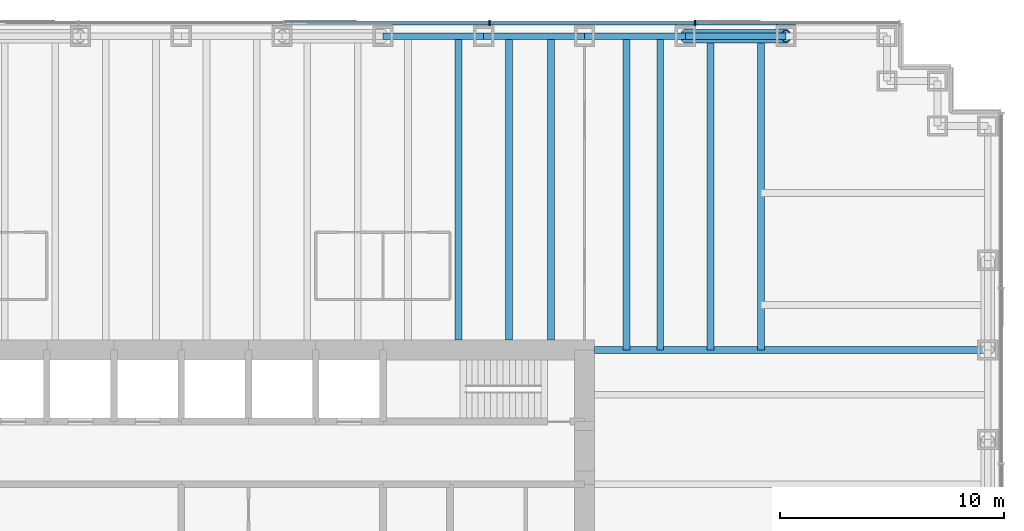
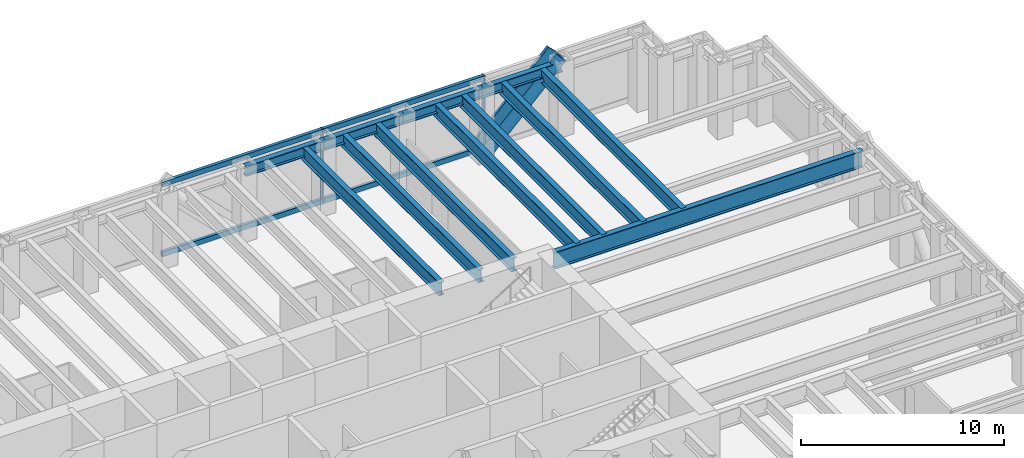
# One storey, part 6 of 13: 12 beams, 8 members, 1 element without a shape of its own.
"""IFC4 building model written with IfcOpenShell, lengths in metres."""

from ifc_helpers import new_model, si_unit, direction, frame, origin, origin_2d, place, context, subcontext, project, spatial, rectangle, hollow_circle, i_section, extrude, material, material_profile, profile_set, type_object, element, aggregate, save


model = new_model("IFC4")

# Units and contexts
model_context = context("Model", 3, precision=1e-05, world=origin(), true_north=direction((0.0, 1.0)))
body_context = subcontext(model_context, "Body", "Model", "MODEL_VIEW")
ifc_project = project(units=[si_unit("LENGTHUNIT", "METRE"), si_unit("AREAUNIT", "SQUARE_METRE"), si_unit("VOLUMEUNIT", "CUBIC_METRE"), si_unit("PLANEANGLEUNIT", "RADIAN"), si_unit("MASSUNIT", "GRAM", prefix="KILO")], contexts=[model_context])

# Site, building, storey
site_placement = place(None, origin())
site = spatial("IfcSite", under=ifc_project, at=site_placement, CompositionType="ELEMENT")
building_placement = place(site_placement, origin())
building = spatial("IfcBuilding", under=site, at=building_placement, Name="Rheinbord Bourse Tower", CompositionType="ELEMENT")
storey_placement = place(building_placement, frame((0.0, 0.0, 86.0)))
storey = spatial("IfcBuildingStorey", under=building, at=storey_placement, Name="L18", CompositionType="ELEMENT", Elevation=86.0)

# Curtain wall, members
ifc_material_1 = material(Name="Dark glass and black aluminium", Category="aluminium")
curtain_wall_type = type_object("IfcCurtainWallType", Name="CW1 DARK GLASS CURTAIN WALL", PredefinedType="USERDEFINED", material=ifc_material_1)
curtain_wall_placement = place(storey_placement, origin())
curtain_wall = element("IfcCurtainWall", 1, at=curtain_wall_placement, inside=storey, type_object=curtain_wall_type, Name="Curtain wall CW1 N L18", ObjectType="UNITISED CURTAIN WALL", PredefinedType="USERDEFINED")
ifc_material_2 = material(Name="Black anodised aluminium", Category="aluminium")
ifc_material_profile_1 = material_profile(ifc_material_2, rectangle(XDim=0.179931640625, YDim=1.2099609375, at=origin_2d()), Name="CW1 DIAGONAL MULLION 1210x180")
ifc_profile_set_1 = profile_set([ifc_material_profile_1], Name="Black anodised aluminium")
member_type_1 = type_object("IfcMemberType", Name="CW1 BLACK DIAGONAL MULLION", PredefinedType="USERDEFINED", material=ifc_profile_set_1)
member_1_placement = place(storey_placement, frame((58.5, 46.60009765625, 0.0), z_axis=(0.707106781187, 0.0, 0.707106781187), x_axis=(0.0, 1.0, 0.0)))
member_1 = element("IfcMember", 2, at=member_1_placement, type_object=member_type_1, Name="CW1 diagonal mullion d", ObjectType="DIAGONAL MULLION", PredefinedType="USERDEFINED", context=body_context, shape_type="SweptSolid", body=[
    extrude(rectangle(XDim=0.179931640625, YDim=1.2099609375, at=origin_2d()), origin(), (0.0, 0.0, 1.0), 6.364013671875),
])
ifc_material_3 = material(Name="Black anodised aluminium", Category="aluminium")
ifc_material_profile_2 = material_profile(ifc_material_3, rectangle(XDim=0.25, YDim=0.080078125, at=origin_2d()), Name="CW1 MULLION 80x250")
ifc_profile_set_2 = profile_set([ifc_material_profile_2], Name="Black anodised aluminium")
member_type_2 = type_object("IfcMemberType", Name="CW1 BLACK MULLION", PredefinedType="MULLION", material=ifc_profile_set_2)
member_2_placement = place(storey_placement, frame((58.928466796875, 46.60009765625, 0.0), z_axis=(0.0, 0.0, 1.0), x_axis=(0.0, -1.0, 0.0)))
member_2 = element("IfcMember", 3, at=member_2_placement, type_object=member_type_2, Name="CW1 mullion 2", PredefinedType="MULLION", context=body_context, shape_type="SweptSolid", body=[
    extrude(rectangle(XDim=0.25, YDim=0.080078125, at=origin_2d()), origin(), (0.0, 0.0, 1.0), 4.5),
])
member_3_placement = place(storey_placement, frame((49.757080078125, 46.60009765625, 0.0), z_axis=(0.0, 0.0, 1.0), x_axis=(0.0, -1.0, 0.0)))
member_3 = element("IfcMember", 4, at=member_3_placement, type_object=member_type_2, Name="CW1 mullion 3", PredefinedType="MULLION", context=body_context, shape_type="SweptSolid", body=[
    extrude(rectangle(XDim=0.25, YDim=0.080078125, at=origin_2d()), origin(), (0.0, 0.0, 1.0), 4.5),
])
ifc_material_4 = material(Name="Black anodised aluminium", Category="aluminium")
ifc_material_profile_3 = material_profile(ifc_material_4, rectangle(XDim=0.179931640625, YDim=0.300048828125, at=origin_2d()), Name="CW1 TRANSOM 300x180")
ifc_profile_set_3 = profile_set([ifc_material_profile_3], Name="Black anodised aluminium")
member_type_3 = type_object("IfcMemberType", Name="CW1 BLACK TRANSOM", PredefinedType="USERDEFINED", material=ifc_profile_set_3)
member_4_placement = place(storey_placement, frame((58.888671875, 46.60009765625, 0.14990234375), z_axis=(-1.0, 0.0, 0.0), x_axis=(0.0, -1.0, 0.0)))
member_4 = element("IfcMember", 5, at=member_4_placement, type_object=member_type_3, Name="CW1 transom 2.1", ObjectType="TRANSOM", PredefinedType="USERDEFINED", context=body_context, shape_type="SweptSolid", body=[
    extrude(rectangle(XDim=0.179931640625, YDim=0.300048828125, at=origin_2d()), origin(), (0.0, 0.0, 1.0), 9.091552734375),
])
member_5_placement = place(storey_placement, frame((58.888671875, 46.60009765625, 4.35009765625), z_axis=(-1.0, 0.0, 0.0), x_axis=(0.0, -1.0, 0.0)))
member_5 = element("IfcMember", 6, at=member_5_placement, type_object=member_type_3, Name="CW1 transom 2.2", ObjectType="TRANSOM", PredefinedType="USERDEFINED", context=body_context, shape_type="SweptSolid", body=[
    extrude(rectangle(XDim=0.179931640625, YDim=0.300048828125, at=origin_2d()), origin(), (0.0, 0.0, 1.0), 9.091552734375),
])
member_6_placement = place(storey_placement, frame((49.717041015625, 46.60009765625, 0.14990234375), z_axis=(-1.0, 0.0, 0.0), x_axis=(0.0, -1.0, 0.0)))
member_6 = element("IfcMember", 7, at=member_6_placement, type_object=member_type_3, Name="CW1 transom 3.1", ObjectType="TRANSOM", PredefinedType="USERDEFINED", context=body_context, shape_type="SweptSolid", body=[
    extrude(rectangle(XDim=0.179931640625, YDim=0.300048828125, at=origin_2d()), origin(), (0.0, 0.0, 1.0), 9.09130859375),
])
member_7_placement = place(storey_placement, frame((49.717041015625, 46.60009765625, 4.35009765625), z_axis=(-1.0, 0.0, 0.0), x_axis=(0.0, -1.0, 0.0)))
member_7 = element("IfcMember", 8, at=member_7_placement, type_object=member_type_3, Name="CW1 transom 3.2", ObjectType="TRANSOM", PredefinedType="USERDEFINED", context=body_context, shape_type="SweptSolid", body=[
    extrude(rectangle(XDim=0.179931640625, YDim=0.300048828125, at=origin_2d()), origin(), (0.0, 0.0, 1.0), 9.09130859375),
])
aggregate(curtain_wall, [member_2, member_3, member_4, member_5, member_6, member_7, member_1])

# Beams
ifc_material_5 = material(Name="Steel S460", Category="steel")
ifc_material_profile_4 = material_profile(ifc_material_5, i_section(OverallWidth=0.300048828125, OverallDepth=0.800048828125, WebThickness=0.017578125, FlangeThickness=0.032958984375, at=origin_2d()), Name="HEB 800")
ifc_profile_set_4 = profile_set([ifc_material_profile_4], Name="Steel S460")
beam_type_1 = type_object("IfcBeamType", Name="FLOOR BEAM HEB 800", PredefinedType="BEAM", material=ifc_profile_set_4)
for number, where, z_axis, x_axis, name in (
    (9, (48.375, 46.0, 3.919921875), (0.0, -1.0, 0.0), (1.0, 0.0, 0.0), "Floor beam N-45b L19"),
    (10, (50.625, 46.0, 3.919921875), (0.0, -1.0, 0.0), (1.0, 0.0, 0.0), "Floor beam N-49.5a L19"),
    (11, (52.5, 46.0, 3.919921875), (0.0, -1.0, 0.0), (1.0, 0.0, 0.0), "Floor beam N-49.5b L19"),
):
    element("IfcBeam", number, at=place(storey_placement, frame(where, z_axis=z_axis, x_axis=x_axis)), inside=storey, type_object=beam_type_1, Name=name, PredefinedType="BEAM", context=body_context, shape_type="SweptSolid", body=[
        extrude(i_section(OverallWidth=0.300048828125, OverallDepth=0.800048828125, WebThickness=0.017578125, FlangeThickness=0.032958984375, at=origin_2d()), origin(), (0.0, 0.0, 1.0), 13.550048828125),
    ])
for number, where, z_axis, x_axis, name in (
    (12, (55.875, 46.0, 3.919921875), (0.0, -1.0, 0.0), (1.0, 0.0, 0.0), "Floor beam N-54a L19"),
    (13, (57.375, 46.0, 3.919921875), (0.0, -1.0, 0.0), (1.0, 0.0, 0.0), "Floor beam N-54b L19"),
    (14, (59.625, 46.0, 3.919921875), (0.0, -1.0, 0.0), (1.0, 0.0, 0.0), "Floor beam N-58.5a L19"),
    (15, (61.875, 46.0, 3.919921875), (0.0, -1.0, 0.0), (1.0, 0.0, 0.0), "Floor beam N-58.5b L19"),
):
    element("IfcBeam", number, at=place(storey_placement, frame(where, z_axis=z_axis, x_axis=x_axis)), inside=storey, type_object=beam_type_1, Name=name, PredefinedType="BEAM", context=body_context, shape_type="SweptSolid", body=[
        extrude(i_section(OverallWidth=0.300048828125, OverallDepth=0.800048828125, WebThickness=0.017578125, FlangeThickness=0.032958984375, at=origin_2d()), origin(), (0.0, 0.0, 1.0), 14.0),
    ])
ifc_material_6 = material(Name="Steel S460", Category="steel")
ifc_material_profile_5 = material_profile(ifc_material_6, i_section(OverallWidth=0.302001953125, OverallDepth=1.008056640625, WebThickness=0.02099609375, FlangeThickness=0.0400390625, at=origin_2d()), Name="HEM 1000")
ifc_profile_set_5 = profile_set([ifc_material_profile_5], Name="Steel S460")
beam_type_2 = type_object("IfcBeamType", Name="GIRDER HEM 1000", PredefinedType="BEAM", material=ifc_profile_set_5)
beam_placement = place(storey_placement, frame((54.449951171875, 32.0, 3.81591796875), z_axis=(1.0, 0.0, 0.0), x_axis=(0.0, 1.0, 0.0)))
element("IfcBeam", 16, at=beam_placement, inside=storey, type_object=beam_type_2, Name="Girder east 32 L19", PredefinedType="BEAM", context=body_context, shape_type="SweptSolid", body=[
    extrude(i_section(OverallWidth=0.302001953125, OverallDepth=1.008056640625, WebThickness=0.02099609375, FlangeThickness=0.0400390625, at=origin_2d()), origin(), (0.0, 0.0, 1.0), 17.550048828125),
])

# Member
ifc_material_7 = material(Name="Steel S460", Category="steel")
ifc_material_profile_6 = material_profile(ifc_material_7, hollow_circle(Radius=0.304931640625, WallThickness=0.050048828125, at=origin_2d()), Name="CHS 610x50")
ifc_profile_set_6 = profile_set([ifc_material_profile_6], Name="Steel S460")
member_type_4 = type_object("IfcMemberType", Name="MEGABRACE CHS 610x50", PredefinedType="BRACE", material=ifc_profile_set_6)
member_8_placement = place(storey_placement, frame((58.5, 46.0, 0.0), z_axis=(0.707106781187, 0.0, 0.707106781187), x_axis=(0.0, 1.0, 0.0)))
element("IfcMember", 17, at=member_8_placement, inside=storey, type_object=member_type_4, Name="Megabrace N face line d L18", PredefinedType="BRACE", context=body_context, shape_type="SweptSolid", body=[
    extrude(hollow_circle(Radius=0.304931640625, WallThickness=0.050048828125, at=origin_2d()), origin(), (0.0, 0.0, 1.0), 6.364013671875),
])

# Beams
ifc_material_8 = material(Name="Steel S460", Category="steel")
ifc_material_profile_7 = material_profile(ifc_material_8, i_section(OverallWidth=0.304931640625, OverallDepth=0.6201171875, WebThickness=0.02099609375, FlangeThickness=0.0400390625, at=origin_2d()), Name="HEM 600")
ifc_profile_set_7 = profile_set([ifc_material_profile_7], Name="Steel S460")
beam_type_3 = type_object("IfcBeamType", Name="SPANDREL HEM 600", PredefinedType="SPANDREL", material=ifc_profile_set_7)
for number, where, z_axis, x_axis, name in (
    (18, (63.0, 46.0, 4.010009765625), (-1.0, 0.0, 0.0), (0.0, -1.0, 0.0), "Spandrel N-63-N-58.5 under L19"),
    (19, (58.5, 46.0, 4.010009765625), (-1.0, 0.0, 0.0), (0.0, -1.0, 0.0), "Spandrel N-58.5-N-54 under L19"),
    (20, (54.0, 46.0, 4.010009765625), (-1.0, 0.0, 0.0), (0.0, -1.0, 0.0), "Spandrel N-54-N-49.5 under L19"),
    (21, (49.5, 46.0, 4.010009765625), (-1.0, 0.0, 0.0), (0.0, -1.0, 0.0), "Spandrel N-49.5-N-45 under L19"),
):
    element("IfcBeam", number, at=place(storey_placement, frame(where, z_axis=z_axis, x_axis=x_axis)), inside=storey, type_object=beam_type_3, Name=name, PredefinedType="SPANDREL", context=body_context, shape_type="SweptSolid", body=[
        extrude(i_section(OverallWidth=0.304931640625, OverallDepth=0.6201171875, WebThickness=0.02099609375, FlangeThickness=0.0400390625, at=origin_2d()), origin(), (0.0, 0.0, 1.0), 4.5),
    ])

save(model, "model.ifc")
